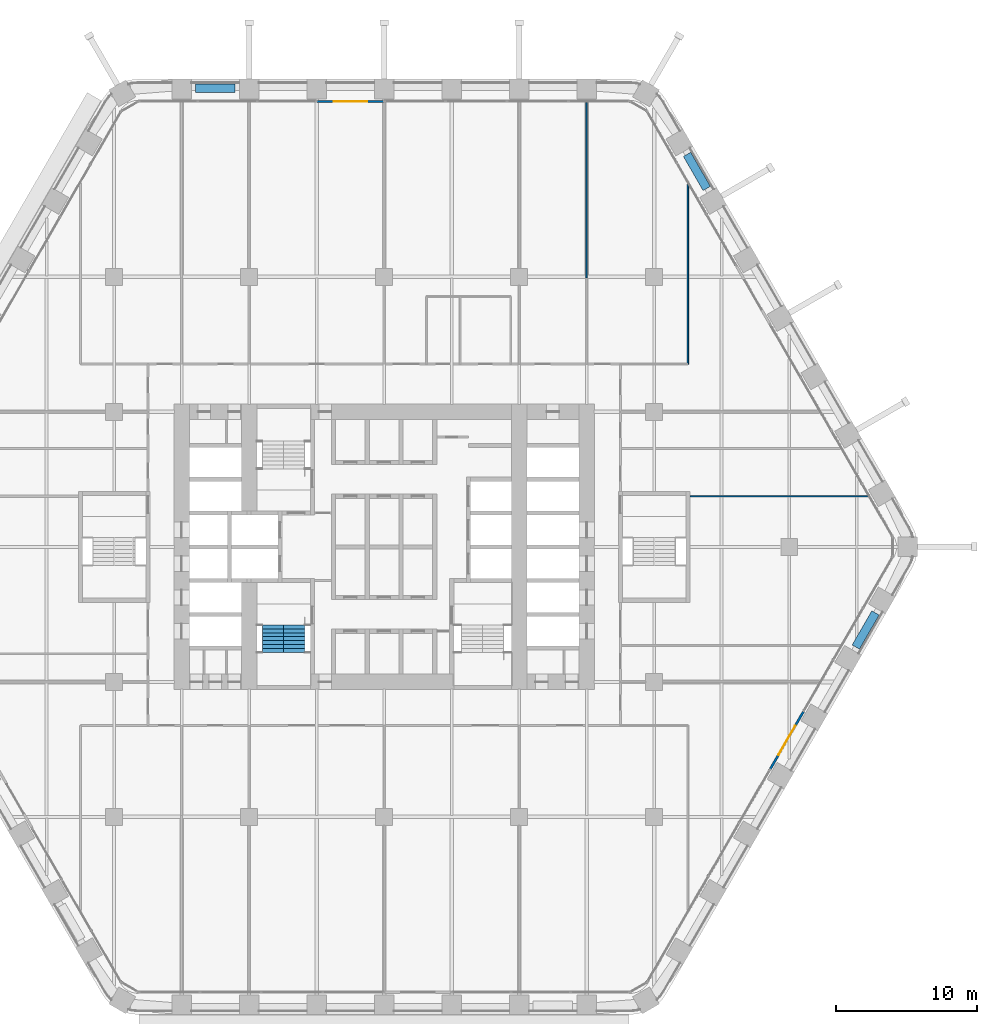
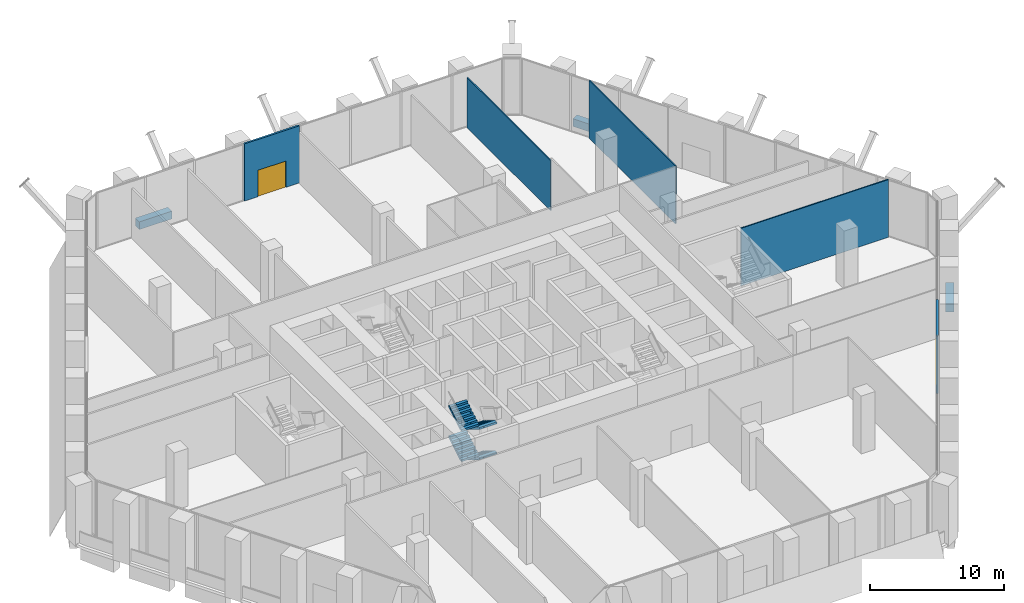
# One storey, part 22 of 29: 8 walls, 4 stair flights, 2 doors, 2 openings, 1 element without a shape of its own.
"""IFC4 building model written with IfcOpenShell, lengths in metres."""

from ifc_helpers import new_model, si_unit, direction, frame, frame_2d, origin, place, context, subcontext, project, spatial, polyline, rectangle, outline, extrude, material, layer, layer_set, type_object, element, fill, aggregate, save


model = new_model("IFC4")

# Units and contexts
model_context = context("Model", 3, precision=1e-05, world=origin(), true_north=direction((0.0, 1.0)))
body_context = subcontext(model_context, "Body", "Model", "MODEL_VIEW")
ifc_project = project(units=[si_unit("LENGTHUNIT", "METRE"), si_unit("AREAUNIT", "SQUARE_METRE"), si_unit("VOLUMEUNIT", "CUBIC_METRE"), si_unit("PLANEANGLEUNIT", "RADIAN"), si_unit("MASSUNIT", "GRAM", prefix="KILO")], contexts=[model_context])

# Site, building, storey
site_placement = place(None, origin())
site = spatial("IfcSite", under=ifc_project, at=site_placement, CompositionType="ELEMENT")
building_placement = place(site_placement, origin())
building = spatial("IfcBuilding", under=site, at=building_placement, Name="Kolab Exchange Tower", CompositionType="ELEMENT")
storey_placement = place(building_placement, frame((0.0, 0.0, 33.39990234375)))
storey = spatial("IfcBuildingStorey", under=building, at=storey_placement, Name="L06", CompositionType="ELEMENT", Elevation=33.39990234375)

# Wall, opening, door
ifc_material_1 = material(Name="Aluminium EN AW-6063 T6", Category="aluminium")
ifc_layer_1 = layer(ifc_material_1, 0.159912109375)
ifc_layer_set_1 = layer_set([ifc_layer_1], Name="Aluminium EN AW-6063 T6")
wall_type_1 = type_object("IfcWallType", Name="DOOR SURROUND WALL 160 ALUMINIUM FRAMED", PredefinedType="PARTITIONING", material=ifc_layer_set_1)
wall_1_placement = place(storey_placement, frame((-4.77001953125, 31.67529296875, 0.0), z_axis=(0.0, 0.0, 1.0), x_axis=(1.0, 0.0, 0.0)))
wall_1 = element("IfcWall", 1, at=wall_1_placement, inside=storey, type_object=wall_type_1, Name="Door surround wall", PredefinedType="PARTITIONING", context=body_context, shape_type="SweptSolid", body=[
    extrude(rectangle(XDim=4.739990234375, YDim=0.159912109375, at=frame_2d((2.3701171875, 0.0))), origin(), (0.0, 0.0, 1.0), 5.2001953125),
])
opening_1_placement = place(wall_1_placement, frame((1.169921875, 0.0, 0.0)))
opening_1 = element("IfcOpeningElement", 2, at=opening_1_placement, cuts=wall_1, Name="Opening GD1-023", PredefinedType="OPENING", context=body_context, shape_type="SweptSolid", body=[
    extrude(rectangle(XDim=2.39990234375, YDim=2.39990234375, at=frame_2d((1.199951171875, 1.199951171875))), frame((0.0, 0.08984375, 0.0), z_axis=(0.0, -1.0, 0.0), x_axis=(1.0, 0.0, 0.0)), (0.0, 0.0, 1.0), 0.179931640625),
])
door_type = type_object("IfcDoorType", Name="LOGGIA SLIDING GLASS DOOR 2400 X 2400", OperationType="DOUBLE_DOOR_SINGLE_SWING", PredefinedType="DOOR", material=ifc_material_1)
door_1_placement = place(opening_1_placement, origin())
door_1 = element("IfcDoor", 3, at=door_1_placement, inside=storey, type_object=door_type, Name="Loggia door", OperationType="DOUBLE_DOOR_SLIDING", OverallHeight=2.39990234375, OverallWidth=2.39990234375, PredefinedType="DOOR", context=body_context, shape_type="SweptSolid", body=[
    extrude(rectangle(XDim=2.39990234375, YDim=2.39990234375, at=frame_2d((1.199951171875, 1.199951171875))), frame((0.0, 0.02490234375, 0.0), z_axis=(0.0, -1.0, 0.0), x_axis=(1.0, 0.0, 0.0)), (0.0, 0.0, 1.0), 0.050048828125),
])
fill(opening_1, door_1)

wall_2_placement = place(storey_placement, frame((29.816650390625, -11.706787109375, 0.0), z_axis=(0.0, 0.0, 1.0), x_axis=(-0.499978080042, -0.866038058908, 0.0)))
wall_2 = element("IfcWall", 4, at=wall_2_placement, inside=storey, type_object=wall_type_1, Name="Door surround wall", PredefinedType="PARTITIONING", context=body_context, shape_type="SweptSolid", body=[
    extrude(rectangle(XDim=4.739990234375, YDim=0.159912109375, at=frame_2d((2.3701171875, 0.0))), origin(), (0.0, 0.0, 1.0), 5.2001953125),
])
opening_2_placement = place(wall_2_placement, frame((1.169921875, 0.0, 0.0)))
opening_2 = element("IfcOpeningElement", 5, at=opening_2_placement, cuts=wall_2, Name="Opening GD1-025", PredefinedType="OPENING", context=body_context, shape_type="SweptSolid", body=[
    extrude(rectangle(XDim=2.39990234375, YDim=2.39990234375, at=frame_2d((1.199951171875, 1.199951171875))), frame((0.0, 0.08984375, 0.0), z_axis=(0.0, -1.0, 0.0), x_axis=(1.0, 0.0, 0.0)), (0.0, 0.0, 1.0), 0.179931640625),
])
door_2_placement = place(opening_2_placement, origin())
door_2 = element("IfcDoor", 6, at=door_2_placement, inside=storey, type_object=door_type, Name="Loggia door", OperationType="DOUBLE_DOOR_SLIDING", OverallHeight=2.39990234375, OverallWidth=2.39990234375, PredefinedType="DOOR", context=body_context, shape_type="SweptSolid", body=[
    extrude(rectangle(XDim=2.39990234375, YDim=2.39990234375, at=frame_2d((1.199951171875, 1.199951171875))), frame((0.0, 0.02490234375, 0.0), z_axis=(0.0, -1.0, 0.0), x_axis=(1.0, 0.0, 0.0)), (0.0, 0.0, 1.0), 0.050048828125),
])
fill(opening_2, door_2)

# Walls
ifc_material_2 = material(Name="Gypsum board", Category="gypsum")
ifc_layer_2 = layer(ifc_material_2, 0.10009765625)
ifc_layer_set_2 = layer_set([ifc_layer_2], Name="Gypsum board")
wall_type_2 = type_object("IfcWallType", Name="PARTITION 100", PredefinedType="PARTITIONING", material=ifc_layer_set_2)
wall_3_placement = place(storey_placement, frame((21.60009765625, 13.0, 0.0), z_axis=(0.0, 0.0, 1.0), x_axis=(0.0, 1.0, 0.0)))
element("IfcWall", 7, at=wall_3_placement, inside=storey, type_object=wall_type_2, Name="Partition 001", PredefinedType="PARTITIONING", context=body_context, shape_type="SweptSolid", body=[
    extrude(rectangle(XDim=12.8583984375, YDim=0.10009765625, at=frame_2d((6.42919921875, 0.0))), origin(), (0.0, 0.0, 1.0), 5.25),
])
wall_4_placement = place(storey_placement, frame((14.39990234375, 19.113037109375, 0.0), z_axis=(0.0, 0.0, 1.0), x_axis=(0.0, 1.0, 0.0)))
element("IfcWall", 8, at=wall_4_placement, inside=storey, type_object=wall_type_2, Name="Partition 004", PredefinedType="PARTITIONING", context=body_context, shape_type="SweptSolid", body=[
    extrude(rectangle(XDim=12.472412109375, YDim=0.10009765625, at=frame_2d((6.236328125, 0.0))), origin(), (0.0, 0.0, 1.0), 4.566162109375),
])
wall_5_placement = place(storey_placement, frame((21.75, 3.60009765625, 0.0), z_axis=(0.0, 0.0, 1.0), x_axis=(1.0, 0.0, 0.0)))
element("IfcWall", 9, at=wall_5_placement, inside=storey, type_object=wall_type_2, Name="Partition 039", PredefinedType="PARTITIONING", context=body_context, shape_type="SweptSolid", body=[
    extrude(rectangle(XDim=12.700927734375, YDim=0.10009765625, at=frame_2d((6.3505859375, 0.0))), origin(), (0.0, 0.0, 1.0), 5.25),
])
ifc_material_3 = material(Name="Granite facing", Category="masonry")
ifc_layer_3 = layer(ifc_material_3, 0.0400390625)
ifc_material_4 = material(Name="Concrete C40/50 precast", Category="concrete")
ifc_layer_4 = layer(ifc_material_4, 0.56005859375)
ifc_layer_set_3 = layer_set([ifc_layer_3, ifc_layer_4], Name="Concrete C40/50 precast")
wall_type_3 = type_object("IfcWallType", Name="PLANTER BOX 600 X 700 SOIL DEPTH 550", PredefinedType="USERDEFINED", material=ifc_layer_set_3)
for number, where, z_axis, x_axis, name in (
    (10, (-13.39990234375, 32.60546875, 0.0), (0.0, 0.0, 1.0), (1.0, 0.0, 0.0), "Planter"),
    (11, (21.537109375, 27.907470703125, 0.0), (0.0, 0.0, 1.0), (0.49998411664, -0.866034573852, 0.0), "Planter"),
    (12, (34.93701171875, -4.697998046875, 0.0), (0.0, 0.0, 1.0), (-0.49998411664, -0.866034573852, 0.0), "Planter"),
):
    element("IfcWall", number, at=place(storey_placement, frame(where, z_axis=z_axis, x_axis=x_axis)), inside=storey, type_object=wall_type_3, Name=name, ObjectType="PLANTER", PredefinedType="USERDEFINED", context=body_context, shape_type="SweptSolid", body=[
        extrude(rectangle(XDim=2.7998046875, YDim=0.60009765625, at=frame_2d((1.39990234375, 0.0))), origin(), (0.0, 0.0, 1.0), 0.7001953125),
    ])

# Stair, stair flights
ifc_material_5 = material(Name="Concrete C50/60", Category="concrete")
stair_type = type_object("IfcStairType", Name="STAIR ST3 RISER 171.9", PredefinedType="DOUBLE_RETURN_STAIR", material=ifc_material_5)
stair_placement = place(storey_placement, origin())
stair = element("IfcStair", 13, at=stair_placement, inside=storey, type_object=stair_type, Name="Stair 3", PredefinedType="DOUBLE_RETURN_STAIR")
stair_flight_type = type_object("IfcStairFlightType", Name="STAIR FLIGHT 1500 RISER 171.9", PredefinedType="STRAIGHT", material=ifc_material_5)
stair_flight_1_placement = place(storey_placement, frame((-6.389892578125, -5.550048828125, 0.0), z_axis=(0.0, 0.0, 1.0), x_axis=(0.0, -1.0, 0.0)))
stair_flight_1 = element("IfcStairFlight", 14, at=stair_flight_1_placement, type_object=stair_flight_type, Name="ST3 flight 1", NumberOfRisers=8, NumberOfTreads=7, PredefinedType="STRAIGHT", RiserHeight=0.171875, TreadLength=0.28, context=body_context, shape_type="SweptSolid", body=[
    extrude(outline(polyline([(0.0, 0.0), (0.0, 0.171875), (0.280029296875, 0.171875), (0.280029296875, 0.34375), (0.56005859375, 0.34375), (0.56005859375, 0.515625), (0.840087890625, 0.515625), (0.840087890625, 0.6875), (1.1201171875, 0.6875), (1.1201171875, 0.859375), (1.39990234375, 0.859375), (1.39990234375, 1.03125), (1.679931640625, 1.03125), (1.679931640625, 1.203125), (1.9599609375, 1.203125), (1.9599609375, 1.375), (1.9599609375, 1.02734375), (0.28662109375, 0.0), (0.0, 0.0)])), frame((0.0, 0.75, 0.0), z_axis=(0.0, -1.0, 0.0), x_axis=(1.0, 0.0, 0.0)), (0.0, 0.0, 1.0), 0.185791015625),
    extrude(outline(polyline([(0.0, 0.0), (0.0, 0.171875), (0.280029296875, 0.171875), (0.280029296875, 0.34375), (0.56005859375, 0.34375), (0.56005859375, 0.515625), (0.840087890625, 0.515625), (0.840087890625, 0.6875), (1.1201171875, 0.6875), (1.1201171875, 0.859375), (1.39990234375, 0.859375), (1.39990234375, 1.03125), (1.679931640625, 1.03125), (1.679931640625, 1.203125), (1.9599609375, 1.203125), (1.9599609375, 1.375), (1.9599609375, 1.02734375), (0.28662109375, 0.0), (0.0, 0.0)])), frame((0.0, 0.562255859375, 0.0), z_axis=(0.0, -1.0, 0.0), x_axis=(1.0, 0.0, 0.0)), (0.0, 0.0, 1.0), 0.185791015625),
    extrude(outline(polyline([(0.0, 0.0), (0.0, 0.171875), (0.280029296875, 0.171875), (0.280029296875, 0.34375), (0.56005859375, 0.34375), (0.56005859375, 0.515625), (0.840087890625, 0.515625), (0.840087890625, 0.6875), (1.1201171875, 0.6875), (1.1201171875, 0.859375), (1.39990234375, 0.859375), (1.39990234375, 1.03125), (1.679931640625, 1.03125), (1.679931640625, 1.203125), (1.9599609375, 1.203125), (1.9599609375, 1.375), (1.9599609375, 1.02734375), (0.28662109375, 0.0), (0.0, 0.0)])), frame((0.0, 0.37451171875, 0.0), z_axis=(0.0, -1.0, 0.0), x_axis=(1.0, 0.0, 0.0)), (0.0, 0.0, 1.0), 0.185791015625),
    extrude(outline(polyline([(0.0, 0.0), (0.0, 0.171875), (0.280029296875, 0.171875), (0.280029296875, 0.34375), (0.56005859375, 0.34375), (0.56005859375, 0.515625), (0.840087890625, 0.515625), (0.840087890625, 0.6875), (1.1201171875, 0.6875), (1.1201171875, 0.859375), (1.39990234375, 0.859375), (1.39990234375, 1.03125), (1.679931640625, 1.03125), (1.679931640625, 1.203125), (1.9599609375, 1.203125), (1.9599609375, 1.375), (1.9599609375, 1.02734375), (0.28662109375, 0.0), (0.0, 0.0)])), frame((0.0, 0.186767578125, 0.0), z_axis=(0.0, -1.0, 0.0), x_axis=(1.0, 0.0, 0.0)), (0.0, 0.0, 1.0), 0.185791015625),
    extrude(outline(polyline([(0.0, 0.0), (0.0, 0.171875), (0.280029296875, 0.171875), (0.280029296875, 0.34375), (0.56005859375, 0.34375), (0.56005859375, 0.515625), (0.840087890625, 0.515625), (0.840087890625, 0.6875), (1.1201171875, 0.6875), (1.1201171875, 0.859375), (1.39990234375, 0.859375), (1.39990234375, 1.03125), (1.679931640625, 1.03125), (1.679931640625, 1.203125), (1.9599609375, 1.203125), (1.9599609375, 1.375), (1.9599609375, 1.02734375), (0.28662109375, 0.0), (0.0, 0.0)])), frame((0.0, -0.0009765625, 0.0), z_axis=(0.0, -1.0, 0.0), x_axis=(1.0, 0.0, 0.0)), (0.0, 0.0, 1.0), 0.185791015625),
    extrude(outline(polyline([(0.0, 0.0), (0.0, 0.171875), (0.280029296875, 0.171875), (0.280029296875, 0.34375), (0.56005859375, 0.34375), (0.56005859375, 0.515625), (0.840087890625, 0.515625), (0.840087890625, 0.6875), (1.1201171875, 0.6875), (1.1201171875, 0.859375), (1.39990234375, 0.859375), (1.39990234375, 1.03125), (1.679931640625, 1.03125), (1.679931640625, 1.203125), (1.9599609375, 1.203125), (1.9599609375, 1.375), (1.9599609375, 1.02734375), (0.28662109375, 0.0), (0.0, 0.0)])), frame((0.0, -0.188720703125, 0.0), z_axis=(0.0, -1.0, 0.0), x_axis=(1.0, 0.0, 0.0)), (0.0, 0.0, 1.0), 0.185791015625),
    extrude(outline(polyline([(0.0, 0.0), (0.0, 0.171875), (0.280029296875, 0.171875), (0.280029296875, 0.34375), (0.56005859375, 0.34375), (0.56005859375, 0.515625), (0.840087890625, 0.515625), (0.840087890625, 0.6875), (1.1201171875, 0.6875), (1.1201171875, 0.859375), (1.39990234375, 0.859375), (1.39990234375, 1.03125), (1.679931640625, 1.03125), (1.679931640625, 1.203125), (1.9599609375, 1.203125), (1.9599609375, 1.375), (1.9599609375, 1.02734375), (0.28662109375, 0.0), (0.0, 0.0)])), frame((0.0, -0.37646484375, 0.0), z_axis=(0.0, -1.0, 0.0), x_axis=(1.0, 0.0, 0.0)), (0.0, 0.0, 1.0), 0.185791015625),
    extrude(outline(polyline([(0.0, 0.0), (0.0, 0.171875), (0.280029296875, 0.171875), (0.280029296875, 0.34375), (0.56005859375, 0.34375), (0.56005859375, 0.515625), (0.840087890625, 0.515625), (0.840087890625, 0.6875), (1.1201171875, 0.6875), (1.1201171875, 0.859375), (1.39990234375, 0.859375), (1.39990234375, 1.03125), (1.679931640625, 1.03125), (1.679931640625, 1.203125), (1.9599609375, 1.203125), (1.9599609375, 1.375), (1.9599609375, 1.02734375), (0.28662109375, 0.0), (0.0, 0.0)])), frame((0.0, -0.564208984375, 0.0), z_axis=(0.0, -1.0, 0.0), x_axis=(1.0, 0.0, 0.0)), (0.0, 0.0, 1.0), 0.185791015625),
])
stair_flight_2_placement = place(storey_placement, frame((-7.909912109375, -7.510009765625, 1.375), z_axis=(0.0, 0.0, 1.0), x_axis=(0.0, 1.0, 0.0)))
stair_flight_2 = element("IfcStairFlight", 15, at=stair_flight_2_placement, type_object=stair_flight_type, Name="ST3 flight 2", NumberOfRisers=8, NumberOfTreads=7, PredefinedType="STRAIGHT", RiserHeight=0.171875, TreadLength=0.28, context=body_context, shape_type="SweptSolid", body=[
    extrude(outline(polyline([(0.0, 0.0), (0.0, 0.171875), (0.280029296875, 0.171875), (0.280029296875, 0.34375), (0.56005859375, 0.34375), (0.56005859375, 0.515625), (0.840087890625, 0.515625), (0.840087890625, 0.6875), (1.1201171875, 0.6875), (1.1201171875, 0.859375), (1.39990234375, 0.859375), (1.39990234375, 1.03125), (1.679931640625, 1.03125), (1.679931640625, 1.203125), (1.9599609375, 1.203125), (1.9599609375, 1.375), (1.9599609375, 1.02734375), (0.28662109375, 0.0), (0.0, 0.0)])), frame((0.0, 0.75, 0.0), z_axis=(0.0, -1.0, 0.0), x_axis=(1.0, 0.0, 0.0)), (0.0, 0.0, 1.0), 0.185791015625),
    extrude(outline(polyline([(0.0, 0.0), (0.0, 0.171875), (0.280029296875, 0.171875), (0.280029296875, 0.34375), (0.56005859375, 0.34375), (0.56005859375, 0.515625), (0.840087890625, 0.515625), (0.840087890625, 0.6875), (1.1201171875, 0.6875), (1.1201171875, 0.859375), (1.39990234375, 0.859375), (1.39990234375, 1.03125), (1.679931640625, 1.03125), (1.679931640625, 1.203125), (1.9599609375, 1.203125), (1.9599609375, 1.375), (1.9599609375, 1.02734375), (0.28662109375, 0.0), (0.0, 0.0)])), frame((0.0, 0.562255859375, 0.0), z_axis=(0.0, -1.0, 0.0), x_axis=(1.0, 0.0, 0.0)), (0.0, 0.0, 1.0), 0.185791015625),
    extrude(outline(polyline([(0.0, 0.0), (0.0, 0.171875), (0.280029296875, 0.171875), (0.280029296875, 0.34375), (0.56005859375, 0.34375), (0.56005859375, 0.515625), (0.840087890625, 0.515625), (0.840087890625, 0.6875), (1.1201171875, 0.6875), (1.1201171875, 0.859375), (1.39990234375, 0.859375), (1.39990234375, 1.03125), (1.679931640625, 1.03125), (1.679931640625, 1.203125), (1.9599609375, 1.203125), (1.9599609375, 1.375), (1.9599609375, 1.02734375), (0.28662109375, 0.0), (0.0, 0.0)])), frame((0.0, 0.37451171875, 0.0), z_axis=(0.0, -1.0, 0.0), x_axis=(1.0, 0.0, 0.0)), (0.0, 0.0, 1.0), 0.185791015625),
    extrude(outline(polyline([(0.0, 0.0), (0.0, 0.171875), (0.280029296875, 0.171875), (0.280029296875, 0.34375), (0.56005859375, 0.34375), (0.56005859375, 0.515625), (0.840087890625, 0.515625), (0.840087890625, 0.6875), (1.1201171875, 0.6875), (1.1201171875, 0.859375), (1.39990234375, 0.859375), (1.39990234375, 1.03125), (1.679931640625, 1.03125), (1.679931640625, 1.203125), (1.9599609375, 1.203125), (1.9599609375, 1.375), (1.9599609375, 1.02734375), (0.28662109375, 0.0), (0.0, 0.0)])), frame((0.0, 0.186767578125, 0.0), z_axis=(0.0, -1.0, 0.0), x_axis=(1.0, 0.0, 0.0)), (0.0, 0.0, 1.0), 0.185791015625),
    extrude(outline(polyline([(0.0, 0.0), (0.0, 0.171875), (0.280029296875, 0.171875), (0.280029296875, 0.34375), (0.56005859375, 0.34375), (0.56005859375, 0.515625), (0.840087890625, 0.515625), (0.840087890625, 0.6875), (1.1201171875, 0.6875), (1.1201171875, 0.859375), (1.39990234375, 0.859375), (1.39990234375, 1.03125), (1.679931640625, 1.03125), (1.679931640625, 1.203125), (1.9599609375, 1.203125), (1.9599609375, 1.375), (1.9599609375, 1.02734375), (0.28662109375, 0.0), (0.0, 0.0)])), frame((0.0, -0.0009765625, 0.0), z_axis=(0.0, -1.0, 0.0), x_axis=(1.0, 0.0, 0.0)), (0.0, 0.0, 1.0), 0.185791015625),
    extrude(outline(polyline([(0.0, 0.0), (0.0, 0.171875), (0.280029296875, 0.171875), (0.280029296875, 0.34375), (0.56005859375, 0.34375), (0.56005859375, 0.515625), (0.840087890625, 0.515625), (0.840087890625, 0.6875), (1.1201171875, 0.6875), (1.1201171875, 0.859375), (1.39990234375, 0.859375), (1.39990234375, 1.03125), (1.679931640625, 1.03125), (1.679931640625, 1.203125), (1.9599609375, 1.203125), (1.9599609375, 1.375), (1.9599609375, 1.02734375), (0.28662109375, 0.0), (0.0, 0.0)])), frame((0.0, -0.188720703125, 0.0), z_axis=(0.0, -1.0, 0.0), x_axis=(1.0, 0.0, 0.0)), (0.0, 0.0, 1.0), 0.185791015625),
    extrude(outline(polyline([(0.0, 0.0), (0.0, 0.171875), (0.280029296875, 0.171875), (0.280029296875, 0.34375), (0.56005859375, 0.34375), (0.56005859375, 0.515625), (0.840087890625, 0.515625), (0.840087890625, 0.6875), (1.1201171875, 0.6875), (1.1201171875, 0.859375), (1.39990234375, 0.859375), (1.39990234375, 1.03125), (1.679931640625, 1.03125), (1.679931640625, 1.203125), (1.9599609375, 1.203125), (1.9599609375, 1.375), (1.9599609375, 1.02734375), (0.28662109375, 0.0), (0.0, 0.0)])), frame((0.0, -0.37646484375, 0.0), z_axis=(0.0, -1.0, 0.0), x_axis=(1.0, 0.0, 0.0)), (0.0, 0.0, 1.0), 0.185791015625),
    extrude(outline(polyline([(0.0, 0.0), (0.0, 0.171875), (0.280029296875, 0.171875), (0.280029296875, 0.34375), (0.56005859375, 0.34375), (0.56005859375, 0.515625), (0.840087890625, 0.515625), (0.840087890625, 0.6875), (1.1201171875, 0.6875), (1.1201171875, 0.859375), (1.39990234375, 0.859375), (1.39990234375, 1.03125), (1.679931640625, 1.03125), (1.679931640625, 1.203125), (1.9599609375, 1.203125), (1.9599609375, 1.375), (1.9599609375, 1.02734375), (0.28662109375, 0.0), (0.0, 0.0)])), frame((0.0, -0.564208984375, 0.0), z_axis=(0.0, -1.0, 0.0), x_axis=(1.0, 0.0, 0.0)), (0.0, 0.0, 1.0), 0.185791015625),
])
stair_flight_3_placement = place(storey_placement, frame((-6.389892578125, -5.550048828125, 2.75), z_axis=(0.0, 0.0, 1.0), x_axis=(0.0, -1.0, 0.0)))
stair_flight_3 = element("IfcStairFlight", 16, at=stair_flight_3_placement, type_object=stair_flight_type, Name="ST3 flight 3", NumberOfRisers=8, NumberOfTreads=7, PredefinedType="STRAIGHT", RiserHeight=0.171875, TreadLength=0.28, context=body_context, shape_type="SweptSolid", body=[
    extrude(outline(polyline([(0.0, 0.0), (0.0, 0.171875), (0.280029296875, 0.171875), (0.280029296875, 0.34375), (0.56005859375, 0.34375), (0.56005859375, 0.515625), (0.840087890625, 0.515625), (0.840087890625, 0.6875), (1.1201171875, 0.6875), (1.1201171875, 0.859375), (1.39990234375, 0.859375), (1.39990234375, 1.03125), (1.679931640625, 1.03125), (1.679931640625, 1.203125), (1.9599609375, 1.203125), (1.9599609375, 1.375), (1.9599609375, 1.02734375), (0.28662109375, 0.0), (0.0, 0.0)])), frame((0.0, 0.75, 0.0), z_axis=(0.0, -1.0, 0.0), x_axis=(1.0, 0.0, 0.0)), (0.0, 0.0, 1.0), 0.185791015625),
    extrude(outline(polyline([(0.0, 0.0), (0.0, 0.171875), (0.280029296875, 0.171875), (0.280029296875, 0.34375), (0.56005859375, 0.34375), (0.56005859375, 0.515625), (0.840087890625, 0.515625), (0.840087890625, 0.6875), (1.1201171875, 0.6875), (1.1201171875, 0.859375), (1.39990234375, 0.859375), (1.39990234375, 1.03125), (1.679931640625, 1.03125), (1.679931640625, 1.203125), (1.9599609375, 1.203125), (1.9599609375, 1.375), (1.9599609375, 1.02734375), (0.28662109375, 0.0), (0.0, 0.0)])), frame((0.0, 0.562255859375, 0.0), z_axis=(0.0, -1.0, 0.0), x_axis=(1.0, 0.0, 0.0)), (0.0, 0.0, 1.0), 0.185791015625),
    extrude(outline(polyline([(0.0, 0.0), (0.0, 0.171875), (0.280029296875, 0.171875), (0.280029296875, 0.34375), (0.56005859375, 0.34375), (0.56005859375, 0.515625), (0.840087890625, 0.515625), (0.840087890625, 0.6875), (1.1201171875, 0.6875), (1.1201171875, 0.859375), (1.39990234375, 0.859375), (1.39990234375, 1.03125), (1.679931640625, 1.03125), (1.679931640625, 1.203125), (1.9599609375, 1.203125), (1.9599609375, 1.375), (1.9599609375, 1.02734375), (0.28662109375, 0.0), (0.0, 0.0)])), frame((0.0, 0.37451171875, 0.0), z_axis=(0.0, -1.0, 0.0), x_axis=(1.0, 0.0, 0.0)), (0.0, 0.0, 1.0), 0.185791015625),
    extrude(outline(polyline([(0.0, 0.0), (0.0, 0.171875), (0.280029296875, 0.171875), (0.280029296875, 0.34375), (0.56005859375, 0.34375), (0.56005859375, 0.515625), (0.840087890625, 0.515625), (0.840087890625, 0.6875), (1.1201171875, 0.6875), (1.1201171875, 0.859375), (1.39990234375, 0.859375), (1.39990234375, 1.03125), (1.679931640625, 1.03125), (1.679931640625, 1.203125), (1.9599609375, 1.203125), (1.9599609375, 1.375), (1.9599609375, 1.02734375), (0.28662109375, 0.0), (0.0, 0.0)])), frame((0.0, 0.186767578125, 0.0), z_axis=(0.0, -1.0, 0.0), x_axis=(1.0, 0.0, 0.0)), (0.0, 0.0, 1.0), 0.185791015625),
    extrude(outline(polyline([(0.0, 0.0), (0.0, 0.171875), (0.280029296875, 0.171875), (0.280029296875, 0.34375), (0.56005859375, 0.34375), (0.56005859375, 0.515625), (0.840087890625, 0.515625), (0.840087890625, 0.6875), (1.1201171875, 0.6875), (1.1201171875, 0.859375), (1.39990234375, 0.859375), (1.39990234375, 1.03125), (1.679931640625, 1.03125), (1.679931640625, 1.203125), (1.9599609375, 1.203125), (1.9599609375, 1.375), (1.9599609375, 1.02734375), (0.28662109375, 0.0), (0.0, 0.0)])), frame((0.0, -0.0009765625, 0.0), z_axis=(0.0, -1.0, 0.0), x_axis=(1.0, 0.0, 0.0)), (0.0, 0.0, 1.0), 0.185791015625),
    extrude(outline(polyline([(0.0, 0.0), (0.0, 0.171875), (0.280029296875, 0.171875), (0.280029296875, 0.34375), (0.56005859375, 0.34375), (0.56005859375, 0.515625), (0.840087890625, 0.515625), (0.840087890625, 0.6875), (1.1201171875, 0.6875), (1.1201171875, 0.859375), (1.39990234375, 0.859375), (1.39990234375, 1.03125), (1.679931640625, 1.03125), (1.679931640625, 1.203125), (1.9599609375, 1.203125), (1.9599609375, 1.375), (1.9599609375, 1.02734375), (0.28662109375, 0.0), (0.0, 0.0)])), frame((0.0, -0.188720703125, 0.0), z_axis=(0.0, -1.0, 0.0), x_axis=(1.0, 0.0, 0.0)), (0.0, 0.0, 1.0), 0.185791015625),
    extrude(outline(polyline([(0.0, 0.0), (0.0, 0.171875), (0.280029296875, 0.171875), (0.280029296875, 0.34375), (0.56005859375, 0.34375), (0.56005859375, 0.515625), (0.840087890625, 0.515625), (0.840087890625, 0.6875), (1.1201171875, 0.6875), (1.1201171875, 0.859375), (1.39990234375, 0.859375), (1.39990234375, 1.03125), (1.679931640625, 1.03125), (1.679931640625, 1.203125), (1.9599609375, 1.203125), (1.9599609375, 1.375), (1.9599609375, 1.02734375), (0.28662109375, 0.0), (0.0, 0.0)])), frame((0.0, -0.37646484375, 0.0), z_axis=(0.0, -1.0, 0.0), x_axis=(1.0, 0.0, 0.0)), (0.0, 0.0, 1.0), 0.185791015625),
    extrude(outline(polyline([(0.0, 0.0), (0.0, 0.171875), (0.280029296875, 0.171875), (0.280029296875, 0.34375), (0.56005859375, 0.34375), (0.56005859375, 0.515625), (0.840087890625, 0.515625), (0.840087890625, 0.6875), (1.1201171875, 0.6875), (1.1201171875, 0.859375), (1.39990234375, 0.859375), (1.39990234375, 1.03125), (1.679931640625, 1.03125), (1.679931640625, 1.203125), (1.9599609375, 1.203125), (1.9599609375, 1.375), (1.9599609375, 1.02734375), (0.28662109375, 0.0), (0.0, 0.0)])), frame((0.0, -0.564208984375, 0.0), z_axis=(0.0, -1.0, 0.0), x_axis=(1.0, 0.0, 0.0)), (0.0, 0.0, 1.0), 0.185791015625),
])
stair_flight_4_placement = place(storey_placement, frame((-7.909912109375, -7.510009765625, 4.125), z_axis=(0.0, 0.0, 1.0), x_axis=(0.0, 1.0, 0.0)))
stair_flight_4 = element("IfcStairFlight", 17, at=stair_flight_4_placement, type_object=stair_flight_type, Name="ST3 flight 4", NumberOfRisers=8, NumberOfTreads=7, PredefinedType="STRAIGHT", RiserHeight=0.171875, TreadLength=0.28, context=body_context, shape_type="SweptSolid", body=[
    extrude(outline(polyline([(0.0, 0.0), (0.0, 0.171875), (0.280029296875, 0.171875), (0.280029296875, 0.34375), (0.56005859375, 0.34375), (0.56005859375, 0.515625), (0.840087890625, 0.515625), (0.840087890625, 0.6875), (1.1201171875, 0.6875), (1.1201171875, 0.859375), (1.39990234375, 0.859375), (1.39990234375, 1.03125), (1.679931640625, 1.03125), (1.679931640625, 1.203125), (1.9599609375, 1.203125), (1.9599609375, 1.375), (1.9599609375, 1.02734375), (0.28662109375, 0.0), (0.0, 0.0)])), frame((0.0, 0.75, 0.0), z_axis=(0.0, -1.0, 0.0), x_axis=(1.0, 0.0, 0.0)), (0.0, 0.0, 1.0), 0.185791015625),
    extrude(outline(polyline([(0.0, 0.0), (0.0, 0.171875), (0.280029296875, 0.171875), (0.280029296875, 0.34375), (0.56005859375, 0.34375), (0.56005859375, 0.515625), (0.840087890625, 0.515625), (0.840087890625, 0.6875), (1.1201171875, 0.6875), (1.1201171875, 0.859375), (1.39990234375, 0.859375), (1.39990234375, 1.03125), (1.679931640625, 1.03125), (1.679931640625, 1.203125), (1.9599609375, 1.203125), (1.9599609375, 1.375), (1.9599609375, 1.02734375), (0.28662109375, 0.0), (0.0, 0.0)])), frame((0.0, 0.562255859375, 0.0), z_axis=(0.0, -1.0, 0.0), x_axis=(1.0, 0.0, 0.0)), (0.0, 0.0, 1.0), 0.185791015625),
    extrude(outline(polyline([(0.0, 0.0), (0.0, 0.171875), (0.280029296875, 0.171875), (0.280029296875, 0.34375), (0.56005859375, 0.34375), (0.56005859375, 0.515625), (0.840087890625, 0.515625), (0.840087890625, 0.6875), (1.1201171875, 0.6875), (1.1201171875, 0.859375), (1.39990234375, 0.859375), (1.39990234375, 1.03125), (1.679931640625, 1.03125), (1.679931640625, 1.203125), (1.9599609375, 1.203125), (1.9599609375, 1.375), (1.9599609375, 1.02734375), (0.28662109375, 0.0), (0.0, 0.0)])), frame((0.0, 0.37451171875, 0.0), z_axis=(0.0, -1.0, 0.0), x_axis=(1.0, 0.0, 0.0)), (0.0, 0.0, 1.0), 0.185791015625),
    extrude(outline(polyline([(0.0, 0.0), (0.0, 0.171875), (0.280029296875, 0.171875), (0.280029296875, 0.34375), (0.56005859375, 0.34375), (0.56005859375, 0.515625), (0.840087890625, 0.515625), (0.840087890625, 0.6875), (1.1201171875, 0.6875), (1.1201171875, 0.859375), (1.39990234375, 0.859375), (1.39990234375, 1.03125), (1.679931640625, 1.03125), (1.679931640625, 1.203125), (1.9599609375, 1.203125), (1.9599609375, 1.375), (1.9599609375, 1.02734375), (0.28662109375, 0.0), (0.0, 0.0)])), frame((0.0, 0.186767578125, 0.0), z_axis=(0.0, -1.0, 0.0), x_axis=(1.0, 0.0, 0.0)), (0.0, 0.0, 1.0), 0.185791015625),
    extrude(outline(polyline([(0.0, 0.0), (0.0, 0.171875), (0.280029296875, 0.171875), (0.280029296875, 0.34375), (0.56005859375, 0.34375), (0.56005859375, 0.515625), (0.840087890625, 0.515625), (0.840087890625, 0.6875), (1.1201171875, 0.6875), (1.1201171875, 0.859375), (1.39990234375, 0.859375), (1.39990234375, 1.03125), (1.679931640625, 1.03125), (1.679931640625, 1.203125), (1.9599609375, 1.203125), (1.9599609375, 1.375), (1.9599609375, 1.02734375), (0.28662109375, 0.0), (0.0, 0.0)])), frame((0.0, -0.0009765625, 0.0), z_axis=(0.0, -1.0, 0.0), x_axis=(1.0, 0.0, 0.0)), (0.0, 0.0, 1.0), 0.185791015625),
    extrude(outline(polyline([(0.0, 0.0), (0.0, 0.171875), (0.280029296875, 0.171875), (0.280029296875, 0.34375), (0.56005859375, 0.34375), (0.56005859375, 0.515625), (0.840087890625, 0.515625), (0.840087890625, 0.6875), (1.1201171875, 0.6875), (1.1201171875, 0.859375), (1.39990234375, 0.859375), (1.39990234375, 1.03125), (1.679931640625, 1.03125), (1.679931640625, 1.203125), (1.9599609375, 1.203125), (1.9599609375, 1.375), (1.9599609375, 1.02734375), (0.28662109375, 0.0), (0.0, 0.0)])), frame((0.0, -0.188720703125, 0.0), z_axis=(0.0, -1.0, 0.0), x_axis=(1.0, 0.0, 0.0)), (0.0, 0.0, 1.0), 0.185791015625),
    extrude(outline(polyline([(0.0, 0.0), (0.0, 0.171875), (0.280029296875, 0.171875), (0.280029296875, 0.34375), (0.56005859375, 0.34375), (0.56005859375, 0.515625), (0.840087890625, 0.515625), (0.840087890625, 0.6875), (1.1201171875, 0.6875), (1.1201171875, 0.859375), (1.39990234375, 0.859375), (1.39990234375, 1.03125), (1.679931640625, 1.03125), (1.679931640625, 1.203125), (1.9599609375, 1.203125), (1.9599609375, 1.375), (1.9599609375, 1.02734375), (0.28662109375, 0.0), (0.0, 0.0)])), frame((0.0, -0.37646484375, 0.0), z_axis=(0.0, -1.0, 0.0), x_axis=(1.0, 0.0, 0.0)), (0.0, 0.0, 1.0), 0.185791015625),
    extrude(outline(polyline([(0.0, 0.0), (0.0, 0.171875), (0.280029296875, 0.171875), (0.280029296875, 0.34375), (0.56005859375, 0.34375), (0.56005859375, 0.515625), (0.840087890625, 0.515625), (0.840087890625, 0.6875), (1.1201171875, 0.6875), (1.1201171875, 0.859375), (1.39990234375, 0.859375), (1.39990234375, 1.03125), (1.679931640625, 1.03125), (1.679931640625, 1.203125), (1.9599609375, 1.203125), (1.9599609375, 1.375), (1.9599609375, 1.02734375), (0.28662109375, 0.0), (0.0, 0.0)])), frame((0.0, -0.564208984375, 0.0), z_axis=(0.0, -1.0, 0.0), x_axis=(1.0, 0.0, 0.0)), (0.0, 0.0, 1.0), 0.185791015625),
])
aggregate(stair, [stair_flight_1, stair_flight_2, stair_flight_3, stair_flight_4])

save(model, "model.ifc")
